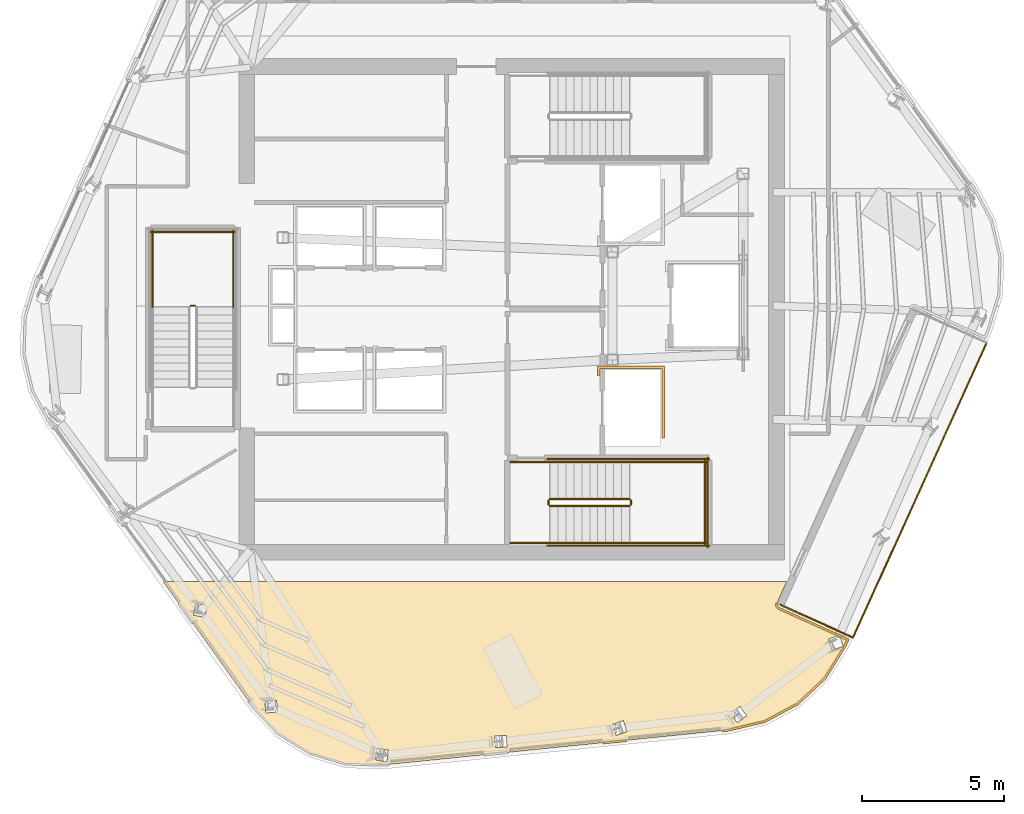
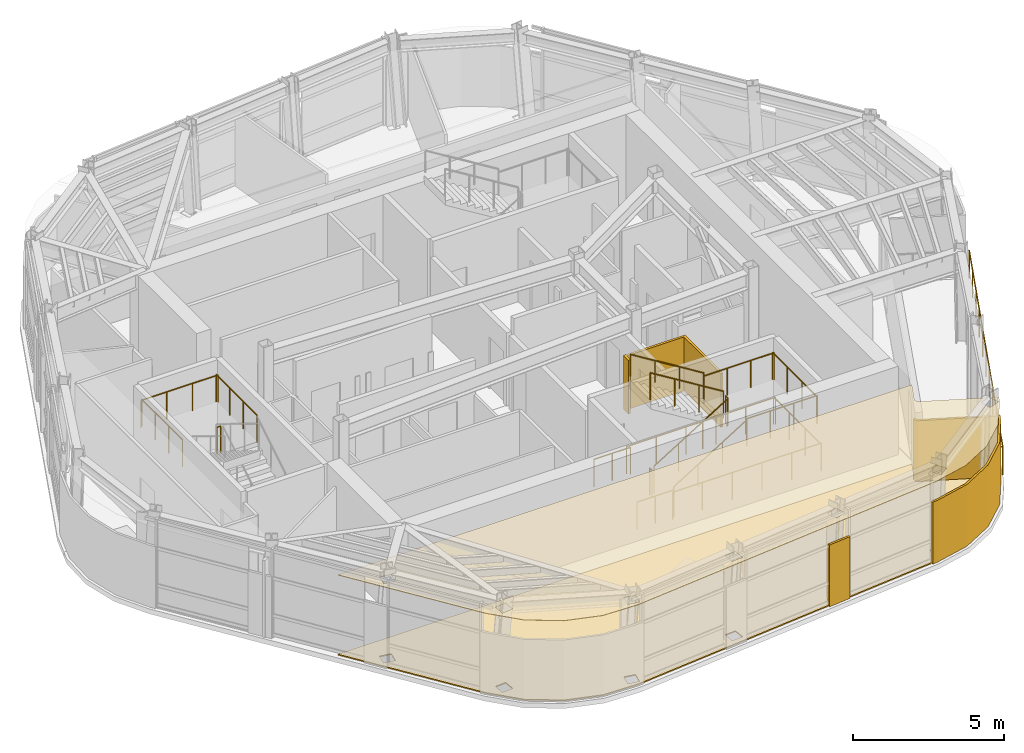
# One storey, part 9 of 12: 20 railings, 5 coverings.
"""IFC4 building model written with IfcOpenShell, lengths in metres."""

from ifc_helpers import new_model, si_unit, direction, frame, origin, origin_2d, place, context, subcontext, project, spatial, polyline, circle, outline, extrude, material, layer, layer_set, type_object, element, save


model = new_model("IFC4")

# Units and contexts
model_context = context("Model", 3, precision=1e-05, world=origin(), true_north=direction((0.0, 1.0)))
body_context = subcontext(model_context, "Body", "Model", "MODEL_VIEW")
ifc_project = project(units=[si_unit("LENGTHUNIT", "METRE"), si_unit("AREAUNIT", "SQUARE_METRE"), si_unit("VOLUMEUNIT", "CUBIC_METRE"), si_unit("PLANEANGLEUNIT", "RADIAN"), si_unit("MASSUNIT", "GRAM", prefix="KILO")], contexts=[model_context])

# Site, building, storey
site_placement = place(None, origin())
site = spatial("IfcSite", under=ifc_project, at=site_placement, CompositionType="ELEMENT")
building_placement = place(site_placement, origin())
building = spatial("IfcBuilding", under=site, at=building_placement, Name="Valkerne Bourse Tower", CompositionType="ELEMENT")
storey_placement = place(building_placement, frame((0.0, 0.0, 307.800048828125)))
storey = spatial("IfcBuildingStorey", under=building, at=storey_placement, Name="L78", CompositionType="ELEMENT", Elevation=307.800048828125)

# Coverings
ifc_material_1 = material(Name="Mineral Fiber Acoustic Ceiling Tile", Category="acoustic")
ifc_layer_1 = layer(ifc_material_1, 0.02490234375)
ifc_layer_set_1 = layer_set([ifc_layer_1], Name="Mineral Fiber Acoustic Ceiling Tile")
covering_type_1 = type_object("IfcCoveringType", Name="COV-CEIL-ACT", PredefinedType="CEILING", material=ifc_layer_set_1)
covering_1_placement = place(storey_placement, frame((0.0, 0.0, 3.22998046875)))
element("IfcCovering", 1, at=covering_1_placement, inside=storey, type_object=covering_type_1, Name="L78 Suspended Ceiling 08", PredefinedType="CEILING", context=body_context, shape_type="SweptSolid", body=[
    extrude(outline(polyline([(54.4091796875, 12.064208984375), (42.283203125, 10.83349609375), (40.954833984375, 10.875244140625), (39.691650390625, 11.2568359375), (38.5703125, 11.9521484375), (37.660400390625, 12.9208984375), (34.524658203125, 17.300048828125), (56.48681640625, 17.300048828125), (56.12744140625, 16.503662109375), (56.1240234375, 16.46142578125), (56.138427734375, 16.4072265625), (56.162841796875, 16.372314453125), (56.2080078125, 16.340087890625), (58.311767578125, 15.39013671875), (57.953125, 15.26513671875), (57.951416015625, 15.263427734375), (58.0859375, 14.879638671875), (58.4716796875, 15.01416015625), (58.473388671875, 15.015869140625), (58.347900390625, 15.373779296875), (58.62939453125, 15.24658203125), (58.528564453125, 15.0244140625), (57.828125, 13.89453125), (56.8662109375, 12.9912109375), (55.703369140625, 12.367919921875), (54.4091796875, 12.064208984375)]), holes=[polyline([(42.47119140625, 11.35009765625), (42.072509765625, 11.425537109375), (41.99609375, 11.0234375), (41.99853515625, 11.022705078125), (42.397216796875, 10.947265625), (42.473388671875, 11.349365234375), (42.47119140625, 11.35009765625)]), polyline([(46.609375, 11.879150390625), (46.607177734375, 11.879150390625), (46.2021484375, 11.85107421875), (46.23046875, 11.44287109375), (46.232666015625, 11.442626953125), (46.6376953125, 11.470703125), (46.609375, 11.879150390625)]), polyline([(38.5224609375, 13.103271484375), (38.5205078125, 13.1044921875), (38.11279296875, 13.07275390625), (38.143798828125, 12.66748046875), (38.145751953125, 12.666259765625), (38.55322265625, 12.697998046875), (38.5224609375, 13.103271484375)]), polyline([(36.06640625, 16.43701171875), (35.6640625, 16.509521484375), (35.591064453125, 16.109619140625), (35.5927734375, 16.10791015625), (35.9951171875, 16.035400390625), (36.06787109375, 16.435302734375), (36.06640625, 16.43701171875)]), polyline([(50.8662109375, 12.01171875), (50.72802734375, 12.39697265625), (50.725830078125, 12.396484375), (50.34375, 12.259521484375), (50.48193359375, 11.8740234375), (50.48388671875, 11.87451171875), (50.8662109375, 12.01171875)]), polyline([(55.07421875, 12.556640625), (54.8427734375, 12.894287109375), (54.8408203125, 12.893310546875), (54.506103515625, 12.66357421875), (54.7373046875, 12.325927734375), (54.739501953125, 12.3271484375), (55.07421875, 12.556640625)])]), origin(), (0.0, 0.0, 1.0), 0.02490234375),
])
ifc_material_2 = material(Name="Bronze Anodised Aluminium AA 6063-T6", Category="aluminium")
ifc_layer_2 = layer(ifc_material_2, 0.06005859375)
ifc_layer_set_2 = layer_set([ifc_layer_2], Name="Bronze Anodised Aluminium AA 6063-T6")
covering_type_2 = type_object("IfcCoveringType", Name="COV-CRN-ALUM", PredefinedType="CLADDING", material=ifc_layer_set_2)
covering_2_placement = place(storey_placement, origin())
element("IfcCovering", 2, at=covering_2_placement, inside=storey, type_object=covering_type_2, Name="L78 Wind-Shaped Corner Aluminium Cladding 01", PredefinedType="CLADDING", context=body_context, shape_type="SweptSolid", body=[
    extrude(outline(polyline([(56.89208984375, 12.955322265625), (55.718994140625, 12.326416015625), (54.41650390625, 12.020751953125), (54.224365234375, 12.001220703125), (54.21630859375, 12.080810546875), (54.4033203125, 12.099853515625), (55.6904296875, 12.401611328125), (56.84521484375, 13.020751953125), (57.800048828125, 13.91748046875), (58.496826171875, 15.041259765625), (58.581787109375, 15.228759765625), (56.193603515625, 16.306884765625), (56.177978515625, 16.315185546875), (56.1630859375, 16.32470703125), (56.149169921875, 16.335693359375), (56.136474609375, 16.347900390625), (56.125, 16.361328125), (56.114990234375, 16.375732421875), (56.1064453125, 16.391357421875), (56.099365234375, 16.407470703125), (56.093994140625, 16.42431640625), (56.090087890625, 16.44140625), (56.088134765625, 16.458984375), (56.087890625, 16.476806640625), (56.089111328125, 16.494384765625), (56.09228515625, 16.51171875), (56.09716796875, 16.52880859375), (56.103515625, 16.545166015625), (56.176513671875, 16.51220703125), (56.173095703125, 16.503173828125), (56.17041015625, 16.49365234375), (56.16845703125, 16.48388671875), (56.167724609375, 16.47412109375), (56.16796875, 16.46435546875), (56.169189453125, 16.45458984375), (56.171142578125, 16.445068359375), (56.17431640625, 16.435791015625), (56.177978515625, 16.4267578125), (56.182861328125, 16.418212890625), (56.1884765625, 16.41015625), (56.19482421875, 16.402587890625), (56.201904296875, 16.395751953125), (56.209716796875, 16.3896484375), (56.2177734375, 16.384521484375), (56.2265625, 16.3798828125), (58.687744140625, 15.268798828125), (58.5673828125, 15.00341796875), (57.862548828125, 13.866455078125), (56.89208984375, 12.955322265625)])), origin(), (0.0, 0.0, 1.0), 2.5),
])
covering_3_placement = place(storey_placement, origin())
element("IfcCovering", 3, at=covering_3_placement, inside=storey, type_object=covering_type_2, Name="L78 Wind-Shaped Corner Aluminium Cladding 02", PredefinedType="CLADDING", context=body_context, shape_type="SweptSolid", body=[
    extrude(outline(polyline([(50.033935546875, 11.575927734375), (50.02587890625, 11.655517578125), (50.86181640625, 11.740478515625), (50.86962890625, 11.660888671875), (50.033935546875, 11.575927734375)])), origin(), (0.0, 0.0, 1.0), 2.5),
])
ifc_material_3 = material(Name="Galvanised Painted Steel", Category="steel")
ifc_layer_3 = layer(ifc_material_3, 0.044921875)
ifc_layer_set_3 = layer_set([ifc_layer_3], Name="Galvanised Painted Steel")
covering_type_3 = type_object("IfcCoveringType", Name="COV-FLR-RAF", PredefinedType="FLOORING", material=ifc_layer_set_3)
covering_4_placement = place(storey_placement, origin())
element("IfcCovering", 4, at=covering_4_placement, inside=storey, type_object=covering_type_3, Name="L78 Floor Finish 08", PredefinedType="FLOORING", context=body_context, shape_type="SweptSolid", body=[
    extrude(outline(polyline([(54.4091796875, 12.064208984375), (42.283203125, 10.83349609375), (40.954833984375, 10.875244140625), (39.691650390625, 11.2568359375), (38.5703125, 11.9521484375), (37.660400390625, 12.9208984375), (34.524658203125, 17.300048828125), (56.48681640625, 17.300048828125), (56.12744140625, 16.503662109375), (56.1240234375, 16.46142578125), (56.138427734375, 16.4072265625), (56.162841796875, 16.372314453125), (56.2080078125, 16.340087890625), (58.311767578125, 15.39013671875), (57.953125, 15.26513671875), (57.951416015625, 15.263427734375), (58.0859375, 14.879638671875), (58.4716796875, 15.01416015625), (58.473388671875, 15.015869140625), (58.347900390625, 15.373779296875), (58.62939453125, 15.24658203125), (58.528564453125, 15.0244140625), (57.828125, 13.89453125), (56.8662109375, 12.9912109375), (55.703369140625, 12.367919921875), (54.4091796875, 12.064208984375)]), holes=[polyline([(42.47119140625, 11.35009765625), (42.072509765625, 11.425537109375), (41.99609375, 11.0234375), (41.99853515625, 11.022705078125), (42.397216796875, 10.947265625), (42.473388671875, 11.349365234375), (42.47119140625, 11.35009765625)]), polyline([(46.609375, 11.879150390625), (46.607177734375, 11.879150390625), (46.2021484375, 11.85107421875), (46.23046875, 11.44287109375), (46.232666015625, 11.442626953125), (46.6376953125, 11.470703125), (46.609375, 11.879150390625)]), polyline([(38.5224609375, 13.103271484375), (38.5205078125, 13.1044921875), (38.11279296875, 13.07275390625), (38.143798828125, 12.66748046875), (38.145751953125, 12.666259765625), (38.55322265625, 12.697998046875), (38.5224609375, 13.103271484375)]), polyline([(36.06640625, 16.43701171875), (35.6640625, 16.509521484375), (35.591064453125, 16.109619140625), (35.5927734375, 16.10791015625), (35.9951171875, 16.035400390625), (36.06787109375, 16.435302734375), (36.06640625, 16.43701171875)]), polyline([(50.8662109375, 12.01171875), (50.72802734375, 12.39697265625), (50.725830078125, 12.396484375), (50.34375, 12.259521484375), (50.48193359375, 11.8740234375), (50.48388671875, 11.87451171875), (50.8662109375, 12.01171875)]), polyline([(55.07421875, 12.556640625), (54.8427734375, 12.894287109375), (54.8408203125, 12.893310546875), (54.506103515625, 12.66357421875), (54.7373046875, 12.325927734375), (54.739501953125, 12.3271484375), (55.07421875, 12.556640625)])]), origin(), (0.0, 0.0, 1.0), 0.044921875),
])
ifc_material_4 = material(Name="Gypsum Shaftwall Liner Board", Category="gypsum")
ifc_layer_4 = layer(ifc_material_4, 0.080078125)
ifc_layer_set_4 = layer_set([ifc_layer_4], Name="Gypsum Shaftwall Liner Board")
covering_type_4 = type_object("IfcCoveringType", Name="COV-SHF-CLAD", PredefinedType="CLADDING", material=ifc_layer_set_4)
covering_5_placement = place(storey_placement, origin())
element("IfcCovering", 5, at=covering_5_placement, inside=storey, type_object=covering_type_4, Name="L78 Hoistway & Riser Shaftwall Liner 01", PredefinedType="CLADDING", context=body_context, shape_type="SweptSolid", body=[
    extrude(outline(polyline([(52.179931640625, 24.8798828125), (52.179931640625, 22.35009765625), (52.090087890625, 22.35009765625), (52.090087890625, 24.7900390625), (49.909912109375, 24.7900390625), (49.909912109375, 24.560791015625), (49.869384765625, 24.550537109375), (49.827880859375, 24.53564453125), (49.820068359375, 24.531982421875), (49.820068359375, 24.8798828125), (52.179931640625, 24.8798828125)])), origin(), (0.0, 0.0, 1.0), 2.179931640625),
])

# Railings
ifc_material_5 = material(Name="Laminated Tempered Safety Glass", Category="glass")
railing_type_1 = type_object("IfcRailingType", Name="RLG-GUARD-1150", PredefinedType="BALUSTRADE", material=ifc_material_5)
railing_1_placement = place(storey_placement, frame((58.8203125, 15.318603515625, 0.0)))
element("IfcRailing", 6, at=railing_1_placement, inside=storey, type_object=railing_type_1, Name="L78 V-Notch Terrace Glass Balustrade 1", PredefinedType="BALUSTRADE", context=body_context, shape_type="SweptSolid", body=[
    extrude(circle(Radius=0.02392578125, at=origin_2d()), frame((0.0, 0.0, 1.1259765625), z_axis=(-0.911405402442, 0.411509650433, 0.0), x_axis=(-0.411509650433, -0.911405402442, 0.0)), (0.0, 0.0, 1.0), 2.80078125),
    extrude(circle(Radius=0.02099609375, at=origin_2d()), origin(), (0.0, 0.0, 1.0), 1.101806640625),
    extrude(circle(Radius=0.02099609375, at=origin_2d()), frame((-0.850830078125, 0.38427734375, 0.0)), (0.0, 0.0, 1.0), 1.101806640625),
    extrude(circle(Radius=0.02099609375, at=origin_2d()), frame((-1.701904296875, 0.768310546875, 0.0)), (0.0, 0.0, 1.0), 1.101806640625),
    extrude(circle(Radius=0.02099609375, at=origin_2d()), frame((-2.552734375, 1.152587890625, 0.0)), (0.0, 0.0, 1.0), 1.101806640625),
])
railing_2_placement = place(storey_placement, frame((63.528564453125, 25.70068359375, 0.0)))
element("IfcRailing", 7, at=railing_2_placement, inside=storey, type_object=railing_type_1, Name="L78 V-Notch Terrace Glass Balustrade 3", PredefinedType="BALUSTRADE", context=body_context, shape_type="SweptSolid", body=[
    extrude(circle(Radius=0.02392578125, at=origin_2d()), frame((0.0, 0.0, 1.1259765625), z_axis=(-0.413012147679, -0.910725516207, 0.0), x_axis=(0.910725516207, -0.413012147679, 0.0)), (0.0, 0.0, 1.0), 11.39990234375),
    extrude(circle(Radius=0.02099609375, at=origin_2d()), origin(), (0.0, 0.0, 1.0), 1.101806640625),
    extrude(circle(Radius=0.02099609375, at=origin_2d()), frame((-0.470703125, -1.0380859375, 0.0)), (0.0, 0.0, 1.0), 1.101806640625),
    extrude(circle(Radius=0.02099609375, at=origin_2d()), frame((-0.941650390625, -2.076416015625, 0.0)), (0.0, 0.0, 1.0), 1.101806640625),
    extrude(circle(Radius=0.02099609375, at=origin_2d()), frame((-1.41259765625, -3.11474609375, 0.0)), (0.0, 0.0, 1.0), 1.101806640625),
    extrude(circle(Radius=0.02099609375, at=origin_2d()), frame((-1.88330078125, -4.15283203125, 0.0)), (0.0, 0.0, 1.0), 1.101806640625),
    extrude(circle(Radius=0.02099609375, at=origin_2d()), frame((-2.35400390625, -5.19091796875, 0.0)), (0.0, 0.0, 1.0), 1.101806640625),
    extrude(circle(Radius=0.02099609375, at=origin_2d()), frame((-2.824951171875, -6.229248046875, 0.0)), (0.0, 0.0, 1.0), 1.101806640625),
    extrude(circle(Radius=0.02099609375, at=origin_2d()), frame((-3.2958984375, -7.267333984375, 0.0)), (0.0, 0.0, 1.0), 1.101806640625),
    extrude(circle(Radius=0.02099609375, at=origin_2d()), frame((-3.7666015625, -8.3056640625, 0.0)), (0.0, 0.0, 1.0), 1.101806640625),
    extrude(circle(Radius=0.02099609375, at=origin_2d()), frame((-4.2373046875, -9.34375, 0.0)), (0.0, 0.0, 1.0), 1.101806640625),
    extrude(circle(Radius=0.02099609375, at=origin_2d()), frame((-4.708251953125, -10.382080078125, 0.0)), (0.0, 0.0, 1.0), 1.101806640625),
])
railing_type_2 = type_object("IfcRailingType", Name="RLG-ST-GUARD-1120", PredefinedType="GUARDRAIL", material=ifc_material_3)
railing_3_placement = place(storey_placement, frame((48.14990234375, 19.949951171875, 0.172607421875)))
element("IfcRailing", 8, at=railing_3_placement, inside=storey, type_object=railing_type_2, Name="L78 ST-1 stair guard 1", PredefinedType="GUARDRAIL", context=body_context, shape_type="SweptSolid", body=[
    extrude(circle(Radius=0.02392578125, at=origin_2d()), frame((0.0, 0.0, 1.09619140625), z_axis=(0.851089632645, 0.0, 0.525020415988), x_axis=(0.0, 1.0, 0.0)), (0.0, 0.0, 1.0), 3.2900390625),
    extrude(circle(Radius=0.02099609375, at=origin_2d()), origin(), (0.0, 0.0, 1.0), 1.072021484375),
    extrude(circle(Radius=0.02099609375, at=origin_2d()), frame((0.933349609375, 0.0, 0.57568359375)), (0.0, 0.0, 1.0), 1.072021484375),
    extrude(circle(Radius=0.02099609375, at=origin_2d()), frame((1.86669921875, 0.0, 1.151611328125)), (0.0, 0.0, 1.0), 1.072021484375),
    extrude(circle(Radius=0.02099609375, at=origin_2d()), frame((2.800048828125, 0.0, 1.727294921875)), (0.0, 0.0, 1.0), 1.072021484375),
])
railing_4_placement = place(storey_placement, frame((51.0, 20.0, 1.89990234375)))
element("IfcRailing", 9, at=railing_4_placement, inside=storey, type_object=railing_type_2, Name="L78 ST-1 stair guard 2", PredefinedType="GUARDRAIL", context=body_context, shape_type="SweptSolid", body=[
    extrude(circle(Radius=0.02392578125, at=origin_2d()), frame((0.0, 0.0, 1.09619140625), z_axis=(0.0, 1.0, 0.0), x_axis=(-1.0, 0.0, 0.0)), (0.0, 0.0, 1.0), 0.14990234375),
    extrude(circle(Radius=0.02099609375, at=origin_2d()), origin(), (0.0, 0.0, 1.0), 1.072021484375),
    extrude(circle(Radius=0.02099609375, at=origin_2d()), frame((0.0, 0.14990234375, 0.0)), (0.0, 0.0, 1.0), 1.072021484375),
])
for number, where, name in (
    (10, (50.949951171875, 18.64990234375, 1.89990234375), "L78 ST-1 stair guard 3"),
    (11, (50.949951171875, 21.5, 1.89990234375), "L78 ST-1 stair guard 4"),
):
    element("IfcRailing", number, at=place(storey_placement, frame(where)), inside=storey, type_object=railing_type_2, Name=name, PredefinedType="GUARDRAIL", context=body_context, shape_type="SweptSolid", body=[
        extrude(circle(Radius=0.02392578125, at=origin_2d()), frame((0.0, 0.0, 1.09619140625), z_axis=(1.0, 0.0, 0.0), x_axis=(0.0, 1.0, 0.0)), (0.0, 0.0, 1.0), 2.699951171875),
        extrude(circle(Radius=0.02099609375, at=origin_2d()), origin(), (0.0, 0.0, 1.0), 1.072021484375),
        extrude(circle(Radius=0.02099609375, at=origin_2d()), frame((0.89990234375, 0.0, 0.0)), (0.0, 0.0, 1.0), 1.072021484375),
        extrude(circle(Radius=0.02099609375, at=origin_2d()), frame((1.800048828125, 0.0, 0.0)), (0.0, 0.0, 1.0), 1.072021484375),
        extrude(circle(Radius=0.02099609375, at=origin_2d()), frame((2.699951171875, 0.0, 0.0)), (0.0, 0.0, 1.0), 1.072021484375),
    ])
railing_5_placement = place(storey_placement, frame((53.60009765625, 18.60009765625, 1.89990234375)))
element("IfcRailing", 12, at=railing_5_placement, inside=storey, type_object=railing_type_2, Name="L78 ST-1 stair guard 5", PredefinedType="GUARDRAIL", context=body_context, shape_type="SweptSolid", body=[
    extrude(circle(Radius=0.02392578125, at=origin_2d()), frame((0.0, 0.0, 1.09619140625), z_axis=(0.0, 1.0, 0.0), x_axis=(-1.0, 0.0, 0.0)), (0.0, 0.0, 1.0), 2.949951171875),
    extrude(circle(Radius=0.02099609375, at=origin_2d()), origin(), (0.0, 0.0, 1.0), 1.072021484375),
    extrude(circle(Radius=0.02099609375, at=origin_2d()), frame((0.0, 0.9833984375, 0.0)), (0.0, 0.0, 1.0), 1.072021484375),
    extrude(circle(Radius=0.02099609375, at=origin_2d()), frame((0.0, 1.966552734375, 0.0)), (0.0, 0.0, 1.0), 1.072021484375),
    extrude(circle(Radius=0.02099609375, at=origin_2d()), frame((0.0, 2.949951171875, 0.0)), (0.0, 0.0, 1.0), 1.072021484375),
])
railing_6_placement = place(storey_placement, frame((50.949951171875, 20.199951171875, 2.07275390625)))
element("IfcRailing", 13, at=railing_6_placement, inside=storey, type_object=railing_type_2, Name="L78 ST-1 stair guard 6", PredefinedType="GUARDRAIL", context=body_context, shape_type="SweptSolid", body=[
    extrude(circle(Radius=0.02392578125, at=origin_2d()), frame((0.0, 0.0, 1.09619140625), z_axis=(-0.851089632645, 0.0, 0.525020415988), x_axis=(0.0, -1.0, 0.0)), (0.0, 0.0, 1.0), 3.2900390625),
    extrude(circle(Radius=0.02099609375, at=origin_2d()), origin(), (0.0, 0.0, 1.0), 1.072021484375),
    extrude(circle(Radius=0.02099609375, at=origin_2d()), frame((-0.933349609375, 0.0, 0.57568359375)), (0.0, 0.0, 1.0), 1.072021484375),
    extrude(circle(Radius=0.02099609375, at=origin_2d()), frame((-1.86669921875, 0.0, 1.151611328125)), (0.0, 0.0, 1.0), 1.072021484375),
    extrude(circle(Radius=0.02099609375, at=origin_2d()), frame((-2.800048828125, 0.0, 1.727294921875)), (0.0, 0.0, 1.0), 1.072021484375),
])
railing_7_placement = place(storey_placement, frame((48.10009765625, 20.0, 0.0)))
element("IfcRailing", 14, at=railing_7_placement, inside=storey, type_object=railing_type_2, Name="L78 ST-1 stair guard 7", PredefinedType="GUARDRAIL", context=body_context, shape_type="SweptSolid", body=[
    extrude(circle(Radius=0.02392578125, at=origin_2d()), frame((0.0, 0.0, 1.09619140625), z_axis=(0.0, 1.0, 0.0), x_axis=(-1.0, 0.0, 0.0)), (0.0, 0.0, 1.0), 0.14990234375),
    extrude(circle(Radius=0.02099609375, at=origin_2d()), origin(), (0.0, 0.0, 1.0), 1.072021484375),
    extrude(circle(Radius=0.02099609375, at=origin_2d()), frame((0.0, 0.14990234375, 0.0)), (0.0, 0.0, 1.0), 1.072021484375),
])
for number, where, name in (
    (15, (46.75, 18.64990234375, 0.0), "L78 ST-1 stair guard 8"),
    (16, (46.75, 21.5, 0.0), "L78 ST-1 stair guard 9"),
):
    element("IfcRailing", number, at=place(storey_placement, frame(where)), inside=storey, type_object=railing_type_2, Name=name, PredefinedType="GUARDRAIL", context=body_context, shape_type="SweptSolid", body=[
        extrude(circle(Radius=0.02392578125, at=origin_2d()), frame((0.0, 0.0, 1.09619140625), z_axis=(1.0, 0.0, 0.0), x_axis=(0.0, 1.0, 0.0)), (0.0, 0.0, 1.0), 1.39990234375),
        extrude(circle(Radius=0.02099609375, at=origin_2d()), origin(), (0.0, 0.0, 1.0), 1.072021484375),
        extrude(circle(Radius=0.02099609375, at=origin_2d()), frame((0.699951171875, 0.0, 0.0)), (0.0, 0.0, 1.0), 1.072021484375),
        extrude(circle(Radius=0.02099609375, at=origin_2d()), frame((1.39990234375, 0.0, 0.0)), (0.0, 0.0, 1.0), 1.072021484375),
    ])
for number, where, name in (
    (17, (48.050048828125, 18.550048828125, 0.0), "L78 ST-1 stair guard 10"),
    (18, (48.050048828125, 21.60009765625, 0.0), "L78 ST-1 stair guard 11"),
):
    element("IfcRailing", number, at=place(storey_placement, frame(where)), inside=storey, type_object=railing_type_2, Name=name, PredefinedType="GUARDRAIL", context=body_context, shape_type="SweptSolid", body=[
        extrude(circle(Radius=0.02392578125, at=origin_2d()), frame((0.0, 0.0, 1.09619140625), z_axis=(1.0, 0.0, 0.0), x_axis=(0.0, 1.0, 0.0)), (0.0, 0.0, 1.0), 5.699951171875),
        extrude(circle(Radius=0.02099609375, at=origin_2d()), origin(), (0.0, 0.0, 1.0), 1.072021484375),
        extrude(circle(Radius=0.02099609375, at=origin_2d()), frame((1.139892578125, 0.0, 0.0)), (0.0, 0.0, 1.0), 1.072021484375),
        extrude(circle(Radius=0.02099609375, at=origin_2d()), frame((2.280029296875, 0.0, 0.0)), (0.0, 0.0, 1.0), 1.072021484375),
        extrude(circle(Radius=0.02099609375, at=origin_2d()), frame((3.419921875, 0.0, 0.0)), (0.0, 0.0, 1.0), 1.072021484375),
        extrude(circle(Radius=0.02099609375, at=origin_2d()), frame((4.56005859375, 0.0, 0.0)), (0.0, 0.0, 1.0), 1.072021484375),
        extrude(circle(Radius=0.02099609375, at=origin_2d()), frame((5.699951171875, 0.0, 0.0)), (0.0, 0.0, 1.0), 1.072021484375),
    ])
railing_8_placement = place(storey_placement, frame((53.699951171875, 18.5, 0.0)))
element("IfcRailing", 19, at=railing_8_placement, inside=storey, type_object=railing_type_2, Name="L78 ST-1 stair guard 12", PredefinedType="GUARDRAIL", context=body_context, shape_type="SweptSolid", body=[
    extrude(circle(Radius=0.02392578125, at=origin_2d()), frame((0.0, 0.0, 1.09619140625), z_axis=(0.0, 1.0, 0.0), x_axis=(-1.0, 0.0, 0.0)), (0.0, 0.0, 1.0), 3.14990234375),
    extrude(circle(Radius=0.02099609375, at=origin_2d()), origin(), (0.0, 0.0, 1.0), 1.072021484375),
    extrude(circle(Radius=0.02099609375, at=origin_2d()), frame((0.0, 1.050048828125, 0.0)), (0.0, 0.0, 1.0), 1.072021484375),
    extrude(circle(Radius=0.02099609375, at=origin_2d()), frame((0.0, 2.099853515625, 0.0)), (0.0, 0.0, 1.0), 1.072021484375),
    extrude(circle(Radius=0.02099609375, at=origin_2d()), frame((0.0, 3.14990234375, 0.0)), (0.0, 0.0, 1.0), 1.072021484375),
])
railing_9_placement = place(storey_placement, frame((35.64990234375, 27.0, 1.89990234375)))
element("IfcRailing", 20, at=railing_9_placement, inside=storey, type_object=railing_type_2, Name="L78 ST-3 stair guard 2", PredefinedType="GUARDRAIL", context=body_context, shape_type="SweptSolid", body=[
    extrude(circle(Radius=0.02392578125, at=origin_2d()), frame((0.0, 0.0, 1.09619140625), z_axis=(-1.0, 0.0, 0.0), x_axis=(0.0, -1.0, 0.0)), (0.0, 0.0, 1.0), 0.14990234375),
    extrude(circle(Radius=0.02099609375, at=origin_2d()), origin(), (0.0, 0.0, 1.0), 1.072021484375),
    extrude(circle(Radius=0.02099609375, at=origin_2d()), frame((-0.14990234375, 0.0, 0.0)), (0.0, 0.0, 1.0), 1.072021484375),
])
for number, where, name in (
    (21, (37.0, 26.949951171875, 1.89990234375), "L78 ST-3 stair guard 3"),
    (22, (34.14990234375, 26.949951171875, 1.89990234375), "L78 ST-3 stair guard 4"),
):
    element("IfcRailing", number, at=place(storey_placement, frame(where)), inside=storey, type_object=railing_type_2, Name=name, PredefinedType="GUARDRAIL", context=body_context, shape_type="SweptSolid", body=[
        extrude(circle(Radius=0.02392578125, at=origin_2d()), frame((0.0, 0.0, 1.09619140625), z_axis=(0.0, 1.0, 0.0), x_axis=(-1.0, 0.0, 0.0)), (0.0, 0.0, 1.0), 2.699951171875),
        extrude(circle(Radius=0.02099609375, at=origin_2d()), origin(), (0.0, 0.0, 1.0), 1.072021484375),
        extrude(circle(Radius=0.02099609375, at=origin_2d()), frame((0.0, 0.89990234375, 0.0)), (0.0, 0.0, 1.0), 1.072021484375),
        extrude(circle(Radius=0.02099609375, at=origin_2d()), frame((0.0, 1.800048828125, 0.0)), (0.0, 0.0, 1.0), 1.072021484375),
        extrude(circle(Radius=0.02099609375, at=origin_2d()), frame((0.0, 2.699951171875, 0.0)), (0.0, 0.0, 1.0), 1.072021484375),
    ])
railing_10_placement = place(storey_placement, frame((37.050048828125, 29.60009765625, 1.89990234375)))
element("IfcRailing", 23, at=railing_10_placement, inside=storey, type_object=railing_type_2, Name="L78 ST-3 stair guard 5", PredefinedType="GUARDRAIL", context=body_context, shape_type="SweptSolid", body=[
    extrude(circle(Radius=0.02392578125, at=origin_2d()), frame((0.0, 0.0, 1.09619140625), z_axis=(-1.0, 0.0, 0.0), x_axis=(0.0, -1.0, 0.0)), (0.0, 0.0, 1.0), 2.949951171875),
    extrude(circle(Radius=0.02099609375, at=origin_2d()), origin(), (0.0, 0.0, 1.0), 1.072021484375),
    extrude(circle(Radius=0.02099609375, at=origin_2d()), frame((-0.9833984375, 0.0, 0.0)), (0.0, 0.0, 1.0), 1.072021484375),
    extrude(circle(Radius=0.02099609375, at=origin_2d()), frame((-1.966552734375, 0.0, 0.0)), (0.0, 0.0, 1.0), 1.072021484375),
    extrude(circle(Radius=0.02099609375, at=origin_2d()), frame((-2.949951171875, 0.0, 0.0)), (0.0, 0.0, 1.0), 1.072021484375),
])
ifc_material_6 = material(Name="Stainless Steel AISI 316", Category="steel")
railing_type_3 = type_object("IfcRailingType", Name="RLG-ST-HANDRAIL-900", PredefinedType="HANDRAIL", material=ifc_material_6)
railing_11_placement = place(storey_placement, frame((48.14990234375, 18.64990234375, 0.345458984375)))
element("IfcRailing", 24, at=railing_11_placement, inside=storey, type_object=railing_type_3, Name="L78 ST-1 stair handrail 1", PredefinedType="HANDRAIL", context=body_context, shape_type="SweptSolid", body=[
    extrude(circle(Radius=0.02392578125, at=origin_2d()), frame((0.0, 0.0, 0.8759765625), z_axis=(0.851089632645, 0.0, 0.525020415988), x_axis=(0.0, 1.0, 0.0)), (0.0, 0.0, 1.0), 3.2900390625),
    extrude(circle(Radius=0.02099609375, at=origin_2d()), origin(), (0.0, 0.0, 1.0), 0.851806640625),
    extrude(circle(Radius=0.02099609375, at=origin_2d()), frame((0.933349609375, 0.0, 0.57568359375)), (0.0, 0.0, 1.0), 0.851806640625),
    extrude(circle(Radius=0.02099609375, at=origin_2d()), frame((1.86669921875, 0.0, 1.151611328125)), (0.0, 0.0, 1.0), 0.851806640625),
    extrude(circle(Radius=0.02099609375, at=origin_2d()), frame((2.800048828125, 0.0, 1.727294921875)), (0.0, 0.0, 1.0), 0.851806640625),
])
railing_12_placement = place(storey_placement, frame((50.949951171875, 21.5, 2.245361328125)))
element("IfcRailing", 25, at=railing_12_placement, inside=storey, type_object=railing_type_3, Name="L78 ST-1 stair handrail 2", PredefinedType="HANDRAIL", context=body_context, shape_type="SweptSolid", body=[
    extrude(circle(Radius=0.02392578125, at=origin_2d()), frame((0.0, 0.0, 0.8759765625), z_axis=(-0.851089632645, 0.0, 0.525020415988), x_axis=(0.0, -1.0, 0.0)), (0.0, 0.0, 1.0), 3.2900390625),
    extrude(circle(Radius=0.02099609375, at=origin_2d()), origin(), (0.0, 0.0, 1.0), 0.851806640625),
    extrude(circle(Radius=0.02099609375, at=origin_2d()), frame((-0.933349609375, 0.0, 0.57568359375)), (0.0, 0.0, 1.0), 0.851806640625),
    extrude(circle(Radius=0.02099609375, at=origin_2d()), frame((-1.86669921875, 0.0, 1.151611328125)), (0.0, 0.0, 1.0), 0.851806640625),
    extrude(circle(Radius=0.02099609375, at=origin_2d()), frame((-2.800048828125, 0.0, 1.727294921875)), (0.0, 0.0, 1.0), 0.851806640625),
])

save(model, "model.ifc")
